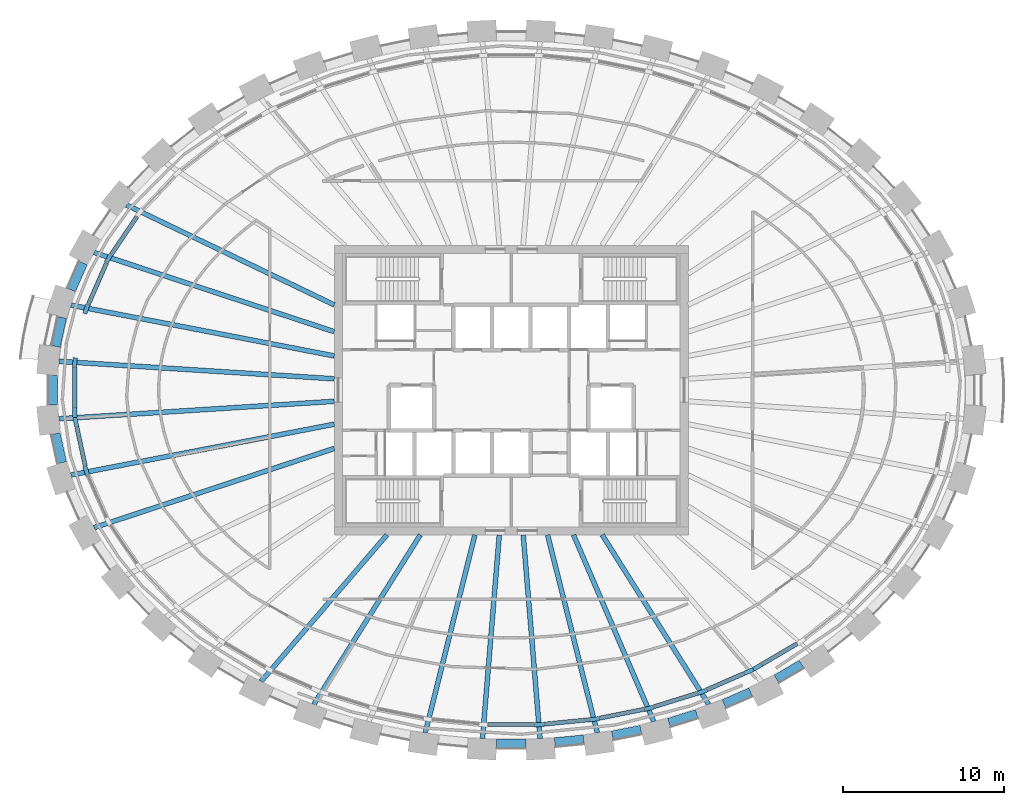
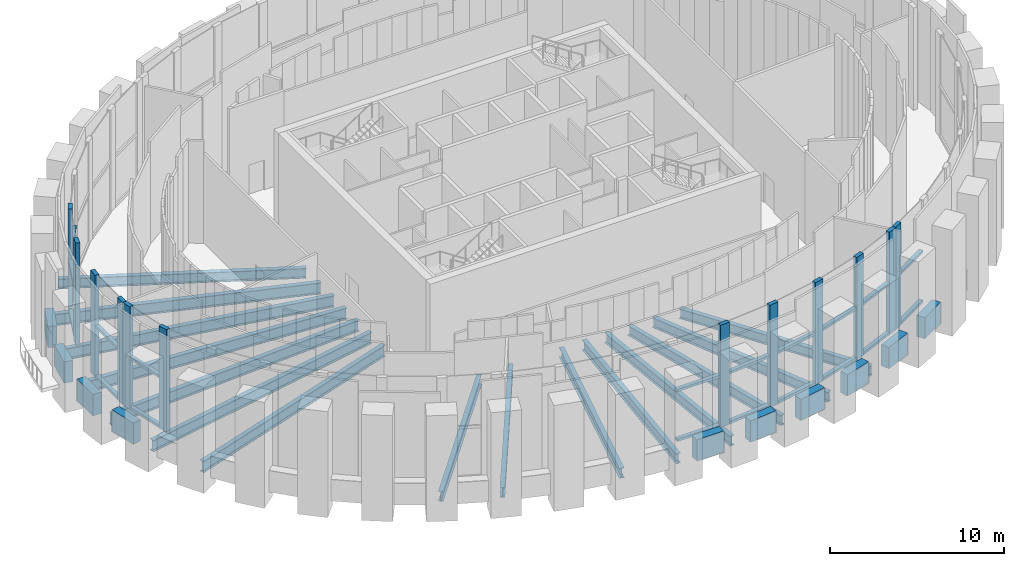
# One storey, part 2 of 16: 32 members, 25 beams, 4 elements without a shape of their own.
"""IFC4 building model written with IfcOpenShell, lengths in metres."""

import ifcopenshell
import ifcopenshell.guid

model = None  # the IFC model being written
_history = None  # IfcOwnerHistory: only IFC2X3 demands one
_inside = {}  # id of a spatial element -> (the spatial element, [elements in it])
_under = {}  # id of a project, library or spatial element -> (it, [spatial elements below it])
_declared = {}  # id of a project -> (the project, [libraries it declares])
_typed = {}  # id of a type object -> (the type object, [elements of that type])
_made_of = {}  # id of a material, layer set ... -> (it, [elements and type objects made of it])


def new_model(schema):
    """Start an empty IFC model of exactly this schema.

    Asked for "IFC4X3", IfcOpenShell would pick the latest addendum, in which some entities
    have other attributes; the version numbers below select the first issue.
    IFC2X3 requires an IfcOwnerHistory on every rooted entity: one is made here for all.
    """
    global model, _history
    if schema == "IFC4X3":
        model = ifcopenshell.file(schema_version=(4, 3, 0, 0))
    else:
        model = ifcopenshell.file(schema=schema)
    _inside.clear()
    _under.clear()
    _declared.clear()
    _typed.clear()
    _made_of.clear()
    _history = None
    if model.schema == "IFC2X3":
        org = make("IfcOrganization", Name="unknown")
        user = make(
            "IfcPersonAndOrganization",
            ThePerson=make("IfcPerson", FamilyName="unknown"),
            TheOrganization=org,
        )
        app = make(
            "IfcApplication",
            ApplicationDeveloper=org,
            Version="unknown",
            ApplicationFullName="unknown",
            ApplicationIdentifier="unknown",
        )
        _history = make(
            "IfcOwnerHistory",
            OwningUser=user,
            OwningApplication=app,
            ChangeAction="ADDED",
            CreationDate=0,
        )
    return model


def make(cls, **values):
    """One entity of the class cls with the attributes given. An attribute that is None is left unset."""
    return model.create_entity(
        cls, **{name: value for name, value in values.items() if value is not None}
    )


def rooted(cls, **values):
    """An entity with a GlobalId (a new one), such as an element, a storey or a relation."""
    return make(cls, GlobalId=ifcopenshell.guid.new(), OwnerHistory=_history, **values)


def si_unit(unit_type, name, prefix=None):
    """IfcSIUnit, for example si_unit("LENGTHUNIT", "METRE", prefix="MILLI")."""
    return make("IfcSIUnit", UnitType=unit_type, Prefix=prefix, Name=name)


def assignment(units):
    """IfcUnitAssignment: the units of a project."""
    return None if units is None else make("IfcUnitAssignment", Units=units)


def point(xyz):
    """IfcCartesianPoint."""
    return None if xyz is None else make("IfcCartesianPoint", Coordinates=xyz)


def direction(xyz):
    """IfcDirection."""
    return None if xyz is None else make("IfcDirection", DirectionRatios=xyz)


def frame(location, z_axis=None, x_axis=None):
    """IfcAxis2Placement3D, a coordinate frame: its origin and axes. An axis left out is left unset."""
    return make(
        "IfcAxis2Placement3D",
        Location=point(location),
        Axis=direction(z_axis),
        RefDirection=direction(x_axis),
    )


def frame_2d(location, x_axis=None):
    """IfcAxis2Placement2D, a coordinate frame in the plane: its origin and x axis."""
    return make(
        "IfcAxis2Placement2D", Location=point(location), RefDirection=direction(x_axis)
    )


def origin():
    """The frame at (0, 0, 0) with its axes left unset."""
    return frame((0.0, 0.0, 0.0))


def origin_2d():
    """The frame at (0, 0) in the plane with its x axis left unset."""
    return frame_2d((0.0, 0.0))


def place(relative_to, where):
    """IfcLocalPlacement: puts the frame where relative to a parent placement (None: the world)."""
    return make(
        "IfcLocalPlacement", PlacementRelTo=relative_to, RelativePlacement=where
    )


def context(
    kind, dimensions, precision=None, world=None, true_north=None, identifier=None
):
    """IfcGeometricRepresentationContext, for example the 3D "Model" context."""
    return make(
        "IfcGeometricRepresentationContext",
        ContextIdentifier=identifier,
        ContextType=kind,
        CoordinateSpaceDimension=dimensions,
        Precision=precision,
        WorldCoordinateSystem=world,
        TrueNorth=true_north,
    )


def subcontext(parent, identifier, kind, view, scale=None):
    """IfcGeometricRepresentationSubContext, for example "Body" below "Model"."""
    return make(
        "IfcGeometricRepresentationSubContext",
        ContextIdentifier=identifier,
        ContextType=kind,
        ParentContext=parent,
        TargetScale=scale,
        TargetView=view,
    )


def project(units=None, contexts=None):
    """IfcProject with its units and contexts."""
    return rooted(
        "IfcProject",
        Name="project",
        RepresentationContexts=contexts,
        UnitsInContext=assignment(units),
    )


def spatial(cls, under=None, at=None, **own):
    """A site, building, storey or space (cls), placed at a placement, below another one or the project."""
    s = rooted(cls, ObjectPlacement=at, **own)
    if under is not None:
        _under.setdefault(under.id(), (under, []))[1].append(s)
    return s


def profile(cls, at=None, kind="AREA", **sizes):
    """A parametric profile (cls). Its sizes go by their IFC names, for example OverallWidth=200.0."""
    return make(cls, ProfileType=kind, Position=at, **sizes)


def rectangle(**sizes):
    """IfcRectangleProfileDef."""
    return profile("IfcRectangleProfileDef", **sizes)


def i_section(**sizes):
    """IfcIShapeProfileDef."""
    return profile("IfcIShapeProfileDef", **sizes)


def extrude(swept, where, along, depth):
    """IfcExtrudedAreaSolid: the profile swept, set in the frame where, extruded along a direction by depth."""
    return make(
        "IfcExtrudedAreaSolid",
        SweptArea=swept,
        Position=where,
        ExtrudedDirection=direction(along),
        Depth=depth,
    )


def shape(context_of_items, identifier, shape_type, items):
    """IfcShapeRepresentation: the items that make up one representation, for example the "Body"."""
    return make(
        "IfcShapeRepresentation",
        ContextOfItems=context_of_items,
        RepresentationIdentifier=identifier,
        RepresentationType=shape_type,
        Items=items,
    )


def source(mapping_origin, context_of_items, identifier, shape_type, items):
    """IfcRepresentationMap: a shape defined once, which mapped items show again and again."""
    return make(
        "IfcRepresentationMap",
        MappingOrigin=mapping_origin,
        MappedRepresentation=shape(context_of_items, identifier, shape_type, items),
    )


def transform(
    local_origin,
    x_axis=None,
    y_axis=None,
    z_axis=None,
    scale=None,
    scale2=None,
    scale3=None,
    uniform=True,
):
    """IfcCartesianTransformationOperator3D, or its non-uniform kind. x_axis, y_axis, z_axis: its Axis1, 2, 3."""
    if uniform:
        return make(
            "IfcCartesianTransformationOperator3D",
            Axis1=direction(x_axis),
            Axis2=direction(y_axis),
            LocalOrigin=point(local_origin),
            Scale=scale,
            Axis3=direction(z_axis),
        )
    return make(
        "IfcCartesianTransformationOperator3DnonUniform",
        Axis1=direction(x_axis),
        Axis2=direction(y_axis),
        LocalOrigin=point(local_origin),
        Scale=scale,
        Axis3=direction(z_axis),
        Scale2=scale2,
        Scale3=scale3,
    )


def mapped(mapping_source, mapping_target):
    """IfcMappedItem: shows the shape of a source again, moved by a transform."""
    return make(
        "IfcMappedItem", MappingSource=mapping_source, MappingTarget=mapping_target
    )


def material(Name=None, Category=None):
    """IfcMaterial."""
    return make("IfcMaterial", Name=Name, Category=Category)


def material_profile(
    of_material, cross_section, Name=None, Category=None, Priority=None
):
    """IfcMaterialProfile: a cross section and its material."""
    return make(
        "IfcMaterialProfile",
        Name=Name,
        Material=of_material,
        Profile=cross_section,
        Priority=Priority,
        Category=Category,
    )


def profile_set(profiles, Name=None, composite=None):
    """IfcMaterialProfileSet."""
    return make(
        "IfcMaterialProfileSet",
        Name=Name,
        MaterialProfiles=profiles,
        CompositeProfile=composite,
    )


def made_of(thing, what):
    """Note that an element or type object is made of a material, layer set ...; save() writes the relation."""
    if what is not None:
        _made_of.setdefault(what.id(), (what, []))[1].append(thing)
    return thing


def type_object(cls, material=None, **own):
    """A type object (cls), such as IfcWallType, which elements share."""
    return made_of(rooted(cls, **own), material)


def element(
    cls,
    number,
    at=None,
    inside=None,
    cuts=None,
    type_object=None,
    material=None,
    context=None,
    identifier="Body",
    shape_type=None,
    held_by="IfcProductDefinitionShape",
    body=None,
    shapes=None,
    **own,
):
    """One element of the class cls, such as IfcWall. Its Tag is "e" and its number.

    at: its placement. inside: the storey or other place that contains it. cuts: it is an
    opening in that element (IfcRelVoidsElement). A single representation is given by context,
    identifier, shape_type and body (its items); several are given by shapes. held_by: the class
    of the entity that holds the representations. save() writes the other relations.
    """
    e = rooted(cls, Tag="e%d" % number, ObjectPlacement=at, **own)
    if body is not None:
        shapes = [shape(context, identifier, shape_type, body)]
    if shapes is not None:
        e.Representation = make(held_by, Representations=shapes)
    if inside is not None:
        _inside.setdefault(inside.id(), (inside, []))[1].append(e)
    if cuts is not None:
        rooted(
            "IfcRelVoidsElement", RelatingBuildingElement=cuts, RelatedOpeningElement=e
        )
    if type_object is not None:
        _typed.setdefault(type_object.id(), (type_object, []))[1].append(e)
    return made_of(e, material)


def aggregate(whole, parts):
    """IfcRelAggregates: a whole, such as a stair, and the parts it consists of."""
    return rooted("IfcRelAggregates", RelatingObject=whole, RelatedObjects=parts)


def save(model, path):
    """Write the relations noted so far, then the file.

    IfcRelAggregates (storeys below a building ...), IfcRelContainedInSpatialStructure (elements
    in a storey), IfcRelDefinesByType, IfcRelAssociatesMaterial and IfcRelDeclares: one each for
    every whole, place, type object, material and project.
    """
    for whole, parts in _under.values():
        aggregate(whole, parts)
    for where, things in _inside.values():
        rooted(
            "IfcRelContainedInSpatialStructure",
            RelatedElements=things,
            RelatingStructure=where,
        )
    for kind, things in _typed.values():
        rooted("IfcRelDefinesByType", RelatedObjects=things, RelatingType=kind)
    for what, things in _made_of.values():
        rooted("IfcRelAssociatesMaterial", RelatedObjects=things, RelatingMaterial=what)
    for by, libraries in _declared.values():
        rooted("IfcRelDeclares", RelatingContext=by, RelatedDefinitions=libraries)
    model.write(path)


model = new_model("IFC4")

# Units and contexts
model_context = context("Model", 3, precision=1e-05, world=origin(), true_north=direction((0.0, 1.0)))
body_context = subcontext(model_context, "Body", "Model", "MODEL_VIEW")
ifc_project = project(units=[si_unit("LENGTHUNIT", "METRE"), si_unit("AREAUNIT", "SQUARE_METRE"), si_unit("VOLUMEUNIT", "CUBIC_METRE"), si_unit("PLANEANGLEUNIT", "RADIAN"), si_unit("MASSUNIT", "GRAM", prefix="KILO")], contexts=[model_context])

# Site, building, storey
site_placement = place(None, origin())
site = spatial("IfcSite", under=ifc_project, at=site_placement, CompositionType="ELEMENT")
building_placement = place(site_placement, origin())
building = spatial("IfcBuilding", under=site, at=building_placement, Name="Embergate Tower", CompositionType="ELEMENT")
storey_placement = place(building_placement, frame((0.0, 0.0, 332.5)))
storey = spatial("IfcBuildingStorey", under=building, at=storey_placement, Name="L78", CompositionType="ELEMENT", Elevation=332.5)

# Beams
ifc_material_1 = material(Name="Concrete C50", Category="concrete")
ifc_material_profile_1 = material_profile(ifc_material_1, rectangle(XDim=0.550048828125, YDim=1.5, at=origin_2d()), Name="RC 550x1500")
ifc_profile_set_1 = profile_set([ifc_material_profile_1], Name="Concrete C50")
beam_type_1 = type_object("IfcBeamType", Name="Spandrel beam RC 550x1500 C50", PredefinedType="BEAM", material=ifc_profile_set_1)
shared_shape_1 = source(origin(), body_context, "Body", "SweptSolid", [
    extrude(rectangle(XDim=0.550048828125, YDim=1.5, at=origin_2d()), origin(), (0.0, 0.0, 1.0), 1.841064453125),
])
for number, where, z_axis, x_axis, name in (
    (1, (-27.912109375, 4.510986328125, 0.0), (-0.21017199477, -0.977664427406, 0.0), (0.977664427406, -0.21017199477, 0.0), "SPN-L78-20"),
    (2, (-28.299072265625, -2.7109375, 0.0), (0.21017199477, -0.977664427406, 0.0), (0.977664427406, 0.21017199477, 0.0), "SPN-L78-22"),
):
    element("IfcBeam", number, at=place(storey_placement, frame(where, z_axis=z_axis, x_axis=x_axis)), inside=storey, type_object=beam_type_1, Name=name, PredefinedType="BEAM", context=body_context, shape_type="MappedRepresentation", body=[
        mapped(shared_shape_1, transform((0.0, 0.0, 0.0))),
    ])
shared_shape_2 = source(origin(), body_context, "Body", "SweptSolid", [
    extrude(rectangle(XDim=0.550048828125, YDim=1.5, at=origin_2d()), origin(), (0.0, 0.0, 1.0), 1.83349609375),
])
beam_1_placement = place(storey_placement, frame((-26.60205078125, 7.89599609375, 0.0), z_axis=(-0.401971002991, -0.91565239734, 0.0), x_axis=(0.91565239734, -0.401971002991, 0.0)))
element("IfcBeam", 3, at=beam_1_placement, inside=storey, type_object=beam_type_1, Name="SPN-L78-19", PredefinedType="BEAM", context=body_context, shape_type="MappedRepresentation", body=[
    mapped(shared_shape_2, transform((0.0, 0.0, 0.0))),
])
shared_shape_3 = source(origin(), body_context, "Body", "SweptSolid", [
    extrude(rectangle(XDim=0.550048828125, YDim=1.5, at=origin_2d()), origin(), (0.0, 0.0, 1.0), 1.814453125),
])
beam_2_placement = place(storey_placement, frame((16.47802734375, -17.948974609375, 0.0), z_axis=(0.861948050646, 0.5069966055, 0.0), x_axis=(-0.5069966055, 0.861948050646, 0.0)))
element("IfcBeam", 4, at=beam_2_placement, inside=storey, type_object=beam_type_1, Name="SPN-L78-37", PredefinedType="BEAM", context=body_context, shape_type="MappedRepresentation", body=[
    mapped(shared_shape_3, transform((0.0, 0.0, 0.0))),
])
shared_shape_4 = source(origin(), body_context, "Body", "SweptSolid", [
    extrude(rectangle(XDim=0.550048828125, YDim=1.5, at=origin_2d()), origin(), (0.0, 0.0, 1.0), 1.8125),
])
beam_3_placement = place(storey_placement, frame((13.214111328125, -19.492919921875, 0.0), z_axis=(0.916321098871, 0.400444307944, 0.0), x_axis=(-0.400444307944, 0.916321098871, 0.0)))
element("IfcBeam", 5, at=beam_3_placement, inside=storey, type_object=beam_type_1, Name="SPN-L78-36", PredefinedType="BEAM", context=body_context, shape_type="MappedRepresentation", body=[
    mapped(shared_shape_4, transform((0.0, 0.0, 0.0))),
])
shared_shape_5 = source(origin(), body_context, "Body", "SweptSolid", [
    extrude(rectangle(XDim=0.550048828125, YDim=1.5, at=origin_2d()), origin(), (0.0, 0.0, 1.0), 1.810791015625),
])
beam_4_placement = place(storey_placement, frame((9.799072265625, -20.659912109375, 0.0), z_axis=(0.954867824345, 0.297031038835, 0.0), x_axis=(-0.297031038835, 0.954867824345, 0.0)))
element("IfcBeam", 6, at=beam_4_placement, inside=storey, type_object=beam_type_1, Name="SPN-L78-35", PredefinedType="BEAM", context=body_context, shape_type="MappedRepresentation", body=[
    mapped(shared_shape_5, transform((0.0, 0.0, 0.0))),
])
shared_shape_6 = source(origin(), body_context, "Body", "SweptSolid", [
    extrude(rectangle(XDim=0.550048828125, YDim=1.5, at=origin_2d()), origin(), (0.0, 0.0, 1.0), 1.809326171875),
])
beam_5_placement = place(storey_placement, frame((6.281005859375, -21.4609375, 0.0), z_axis=(0.980455920219, 0.196738884074, 0.0), x_axis=(-0.196738884074, 0.980455920219, 0.0)))
element("IfcBeam", 7, at=beam_5_placement, inside=storey, type_object=beam_type_1, Name="SPN-L78-34", PredefinedType="BEAM", context=body_context, shape_type="MappedRepresentation", body=[
    mapped(shared_shape_6, transform((0.0, 0.0, 0.0))),
])
shared_shape_7 = source(origin(), body_context, "Body", "SweptSolid", [
    extrude(rectangle(XDim=0.550048828125, YDim=1.5, at=origin_2d()), origin(), (0.0, 0.0, 1.0), 1.806884765625),
])
beam_6_placement = place(storey_placement, frame((2.699951171875, -21.883056640625, 0.0), z_axis=(0.995189855055, 0.097965057015, 0.0), x_axis=(-0.097965057015, 0.995189855055, 0.0)))
element("IfcBeam", 8, at=beam_6_placement, inside=storey, type_object=beam_type_1, Name="SPN-L78-33", PredefinedType="BEAM", context=body_context, shape_type="MappedRepresentation", body=[
    mapped(shared_shape_7, transform((0.0, 0.0, 0.0))),
])
shared_shape_8 = source(origin(), body_context, "Body", "SweptSolid", [
    extrude(rectangle(XDim=0.550048828125, YDim=1.5, at=origin_2d()), origin(), (0.0, 0.0, 1.0), 1.80615234375),
])
beam_7_placement = place(storey_placement, frame((-0.903076171875, -21.971923828125, 0.0), z_axis=(1.0, 0.0, 0.0), x_axis=(0.0, 1.0, 0.0)))
element("IfcBeam", 9, at=beam_7_placement, inside=storey, type_object=beam_type_1, Name="SPN-L78-32", PredefinedType="BEAM", context=body_context, shape_type="MappedRepresentation", body=[
    mapped(shared_shape_8, transform((0.0, 0.0, 0.0))),
])
shared_shape_9 = source(origin(), body_context, "Body", "SweptSolid", [
    extrude(rectangle(XDim=0.550048828125, YDim=1.5, at=origin_2d()), origin(), (0.0, 0.0, 1.0), 1.841796875),
])
beam_8_placement = place(storey_placement, frame((-28.489990234375, 0.9208984375, 0.0), z_axis=(0.0, -1.0, 0.0), x_axis=(1.0, 0.0, 0.0)))
element("IfcBeam", 10, at=beam_8_placement, inside=storey, type_object=beam_type_1, Name="SPN-L78-21", PredefinedType="BEAM", context=body_context, shape_type="MappedRepresentation", body=[
    mapped(shared_shape_9, transform((0.0, 0.0, 0.0))),
])
ifc_material_2 = material(Name="Steel Q355B", Category="steel")
ifc_material_profile_2 = material_profile(ifc_material_2, i_section(OverallWidth=0.300048828125, OverallDepth=0.800048828125, WebThickness=0.013916015625, FlangeThickness=0.02587890625, FilletRadius=0.028076171875, at=origin_2d()), Name="HN 800x300x14x26")
ifc_profile_set_2 = profile_set([ifc_material_profile_2], Name="Steel Q355 grade B")
beam_type_2 = type_object("IfcBeamType", Name="Radial girder HN 800x300x14x26", PredefinedType="BEAM", material=ifc_profile_set_2)
shared_shape_10 = source(origin(), body_context, "Body", "SweptSolid", [
    extrude(i_section(OverallWidth=0.300048828125, OverallDepth=0.800048828125, WebThickness=0.013916015625, FlangeThickness=0.02587890625, FilletRadius=0.028076171875, at=origin_2d()), origin(), (0.0, 0.0, 1.0), 17.1494140625),
])
for number, where, z_axis, x_axis, name in (
    (11, (-28.114990234375, 1.785888671875, -0.64990234375), (0.997989537988, -0.063378877125, 0.0), (0.063378877125, 0.997989537988, 0.0), "GIR-L78-21"),
    (12, (-28.114990234375, -1.785888671875, -0.64990234375), (0.997989537988, 0.063378877125, 0.0), (-0.063378877125, 0.997989537988, 0.0), "GIR-L78-22"),
):
    element("IfcBeam", number, at=place(storey_placement, frame(where, z_axis=z_axis, x_axis=x_axis)), inside=storey, type_object=beam_type_2, Name=name, PredefinedType="BEAM", context=body_context, shape_type="MappedRepresentation", body=[
        mapped(shared_shape_10, transform((0.0, 0.0, 0.0))),
    ])
shared_shape_11 = source(origin(), body_context, "Body", "SweptSolid", [
    extrude(i_section(OverallWidth=0.300048828125, OverallDepth=0.800048828125, WebThickness=0.013916015625, FlangeThickness=0.02587890625, FilletRadius=0.028076171875, at=origin_2d()), origin(), (0.0, 0.0, 1.0), 16.664794921875),
])
for number, where, z_axis, x_axis, name in (
    (13, (-27.363037109375, 5.279052734375, -0.64990234375), (0.981892264932, -0.18944017543, 0.0), (0.18944017543, 0.981892264932, 0.0), "GIR-L78-20"),
    (14, (-27.363037109375, -5.279052734375, -0.64990234375), (0.981892264932, 0.18944017543, 0.0), (-0.18944017543, 0.981892264932, 0.0), "GIR-L78-23"),
):
    element("IfcBeam", number, at=place(storey_placement, frame(where, z_axis=z_axis, x_axis=x_axis)), inside=storey, type_object=beam_type_2, Name=name, PredefinedType="BEAM", context=body_context, shape_type="MappedRepresentation", body=[
        mapped(shared_shape_11, transform((0.0, 0.0, 0.0))),
    ])
shared_shape_12 = source(origin(), body_context, "Body", "SweptSolid", [
    extrude(i_section(OverallWidth=0.300048828125, OverallDepth=0.800048828125, WebThickness=0.013916015625, FlangeThickness=0.02587890625, FilletRadius=0.028076171875, at=origin_2d()), origin(), (0.0, 0.0, 1.0), 15.718017578125),
])
for number, where, z_axis, x_axis, name in (
    (15, (-25.927001953125, 8.551025390625, -0.64990234375), (0.949681931601, -0.31321594594, 0.0), (0.31321594594, 0.949681931601, 0.0), "GIR-L78-19"),
    (16, (-25.927001953125, -8.551025390625, -0.64990234375), (0.949681931601, 0.31321594594, 0.0), (-0.31321594594, 0.949681931601, 0.0), "GIR-L78-24"),
):
    element("IfcBeam", number, at=place(storey_placement, frame(where, z_axis=z_axis, x_axis=x_axis)), inside=storey, type_object=beam_type_2, Name=name, PredefinedType="BEAM", context=body_context, shape_type="MappedRepresentation", body=[
        mapped(shared_shape_12, transform((0.0, 0.0, 0.0))),
    ])
ifc_material_profile_3 = material_profile(ifc_material_2, i_section(OverallWidth=0.300048828125, OverallDepth=0.699951171875, WebThickness=0.012939453125, FlangeThickness=0.02392578125, FilletRadius=0.01806640625, at=origin_2d()), Name="HN 700x300x13x24")
ifc_profile_set_3 = profile_set([ifc_material_profile_3], Name="Steel Q355 grade B")
beam_type_3 = type_object("IfcBeamType", Name="Radial girder HN 700x300x13x24", PredefinedType="BEAM", material=ifc_profile_set_3)
shared_shape_13 = source(origin(), body_context, "Body", "SweptSolid", [
    extrude(i_section(OverallWidth=0.300048828125, OverallDepth=0.699951171875, WebThickness=0.012939453125, FlangeThickness=0.02392578125, FilletRadius=0.01806640625, at=origin_2d()), origin(), (0.0, 0.0, 1.0), 14.3349609375),
])
beam_9_placement = place(storey_placement, frame((-23.91796875, 11.506103515625, -0.60009765625), z_axis=(0.901155709388, -0.433495544887, 0.0), x_axis=(0.433495544887, 0.901155709388, 0.0)))
element("IfcBeam", 17, at=beam_9_placement, inside=storey, type_object=beam_type_3, Name="GIR-L78-18", PredefinedType="BEAM", context=body_context, shape_type="MappedRepresentation", body=[
    mapped(shared_shape_13, transform((0.0, 0.0, 0.0))),
])
shared_shape_14 = source(origin(), body_context, "Body", "SweptSolid", [
    extrude(i_section(OverallWidth=0.300048828125, OverallDepth=0.699951171875, WebThickness=0.012939453125, FlangeThickness=0.02392578125, FilletRadius=0.01806640625, at=origin_2d()), origin(), (0.0, 0.0, 1.0), 12.003662109375),
])
beam_10_placement = place(storey_placement, frame((-15.549072265625, -18.10693359375, -0.60009765625), z_axis=(0.651469469768, 0.758674851277, 0.0), x_axis=(-0.758674851277, 0.651469469768, 0.0)))
element("IfcBeam", 18, at=beam_10_placement, inside=storey, type_object=beam_type_3, Name="GIR-L78-28", PredefinedType="BEAM", context=body_context, shape_type="MappedRepresentation", body=[
    mapped(shared_shape_14, transform((0.0, 0.0, 0.0))),
])
shared_shape_15 = source(origin(), body_context, "Body", "SweptSolid", [
    extrude(i_section(OverallWidth=0.300048828125, OverallDepth=0.699951171875, WebThickness=0.012939453125, FlangeThickness=0.02392578125, FilletRadius=0.01806640625, at=origin_2d()), origin(), (0.0, 0.0, 1.0), 12.446533203125),
])
for number, where, z_axis, x_axis, name in (
    (19, (-12.27197265625, -19.5400390625, -0.60009765625), (0.531866608286, 0.846828147259, 0.0), (-0.846828147259, 0.531866608286, 0.0), "GIR-L78-29"),
    (20, (12.27197265625, -19.5400390625, -0.60009765625), (-0.531866608286, 0.846828147259, 0.0), (-0.846828147259, -0.531866608286, 0.0), "GIR-L78-36"),
):
    element("IfcBeam", number, at=place(storey_placement, frame(where, z_axis=z_axis, x_axis=x_axis)), inside=storey, type_object=beam_type_3, Name=name, PredefinedType="BEAM", context=body_context, shape_type="MappedRepresentation", body=[
        mapped(shared_shape_15, transform((0.0, 0.0, 0.0))),
    ])
shared_shape_16 = source(origin(), body_context, "Body", "SweptSolid", [
    extrude(i_section(OverallWidth=0.300048828125, OverallDepth=0.699951171875, WebThickness=0.012939453125, FlangeThickness=0.02392578125, FilletRadius=0.01806640625, at=origin_2d()), origin(), (0.0, 0.0, 1.0), 12.629638671875),
])
beam_11_placement = place(storey_placement, frame((8.85595703125, -20.60302734375, -0.60009765625), z_axis=(-0.394943241903, 0.91870552174, 0.0), x_axis=(-0.91870552174, -0.394943241903, 0.0)))
element("IfcBeam", 21, at=beam_11_placement, inside=storey, type_object=beam_type_3, Name="GIR-L78-35", PredefinedType="BEAM", context=body_context, shape_type="MappedRepresentation", body=[
    mapped(shared_shape_16, transform((0.0, 0.0, 0.0))),
])
shared_shape_17 = source(origin(), body_context, "Body", "SweptSolid", [
    extrude(i_section(OverallWidth=0.300048828125, OverallDepth=0.699951171875, WebThickness=0.012939453125, FlangeThickness=0.02392578125, FilletRadius=0.01806640625, at=origin_2d()), origin(), (0.0, 0.0, 1.0), 12.687744140625),
])
for number, where, z_axis, x_axis, name in (
    (22, (-5.347900390625, -21.305908203125, -0.60009765625), (0.243454622931, 0.969912288083, 0.0), (-0.969912288083, 0.243454622931, 0.0), "GIR-L78-31"),
    (23, (5.347900390625, -21.305908203125, -0.60009765625), (-0.243454622931, 0.969912288083, 0.0), (-0.969912288083, -0.243454622931, 0.0), "GIR-L78-34"),
):
    element("IfcBeam", number, at=place(storey_placement, frame(where, z_axis=z_axis, x_axis=x_axis)), inside=storey, type_object=beam_type_3, Name=name, PredefinedType="BEAM", context=body_context, shape_type="MappedRepresentation", body=[
        mapped(shared_shape_17, transform((0.0, 0.0, 0.0))),
    ])
shared_shape_18 = source(origin(), body_context, "Body", "SweptSolid", [
    extrude(i_section(OverallWidth=0.300048828125, OverallDepth=0.699951171875, WebThickness=0.012939453125, FlangeThickness=0.02392578125, FilletRadius=0.01806640625, at=origin_2d()), origin(), (0.0, 0.0, 1.0), 12.699951171875),
])
for number, where, z_axis, x_axis, name in (
    (24, (-1.7880859375, -21.656982421875, -0.60009765625), (0.08229613459, 0.996607920012, 0.0), (-0.996607920012, 0.08229613459, 0.0), "GIR-L78-32"),
    (25, (1.7880859375, -21.656982421875, -0.60009765625), (-0.08229613459, 0.996607920012, 0.0), (-0.996607920012, -0.08229613459, 0.0), "GIR-L78-33"),
):
    element("IfcBeam", number, at=place(storey_placement, frame(where, z_axis=z_axis, x_axis=x_axis)), inside=storey, type_object=beam_type_3, Name=name, PredefinedType="BEAM", context=body_context, shape_type="MappedRepresentation", body=[
        mapped(shared_shape_18, transform((0.0, 0.0, 0.0))),
    ])

# Curtain wall, members
ifc_material_3 = material(Name="Aluminium and glass", Category="aluminium")
curtain_wall_type = type_object("IfcCurtainWallType", Name="Observation glazing", PredefinedType="NOTDEFINED", material=ifc_material_3)
curtain_wall_1_placement = place(storey_placement, origin())
curtain_wall_1 = element("IfcCurtainWall", 26, at=curtain_wall_1_placement, inside=storey, type_object=curtain_wall_type, Name="Observation glazing run 3", ObjectType="OBSERVATION GLAZING", PredefinedType="USERDEFINED")
ifc_material_4 = material(Name="Aluminium, thermally broken", Category="aluminium")
ifc_material_profile_4 = material_profile(ifc_material_4, rectangle(XDim=0.260009765625, YDim=0.60009765625, at=origin_2d()), Name="AL 600x260")
ifc_profile_set_4 = profile_set([ifc_material_profile_4], Name="Aluminium, thermally broken")
member_type_1 = type_object("IfcMemberType", Name="Observation mullion", PredefinedType="MULLION", material=ifc_profile_set_4)
shared_shape_19 = source(origin(), body_context, "Body", "SweptSolid", [
    extrude(rectangle(XDim=0.260009765625, YDim=0.60009765625, at=origin_2d()), origin(), (0.0, 0.0, 1.0), 7.199951171875),
])
member_1_placement = place(storey_placement, frame((-25.03369140625, 8.170166015625, 0.0), z_axis=(0.0, 0.0, 1.0), x_axis=(0.874977391222, -0.484163778954, 0.0)))
member_1 = element("IfcMember", 27, at=member_1_placement, type_object=member_type_1, Name="CW mullion 5", PredefinedType="MULLION", context=body_context, shape_type="MappedRepresentation", body=[
    mapped(shared_shape_19, transform((0.0, 0.0, 0.0))),
])
member_2_placement = place(storey_placement, frame((-26.406982421875, 5.039306640625, 0.0), z_axis=(0.0, 0.0, 1.0), x_axis=(0.951484910112, -0.307695410803, 0.0)))
member_2 = element("IfcMember", 28, at=member_2_placement, type_object=member_type_1, Name="CW mullion 6", PredefinedType="MULLION", context=body_context, shape_type="MappedRepresentation", body=[
    mapped(shared_shape_19, transform((0.0, 0.0, 0.0))),
])
member_3_placement = place(storey_placement, frame((-27.124755859375, 1.704345703125, 0.0), z_axis=(0.0, 0.0, 1.0), x_axis=(0.99438310762, -0.105840612621, 0.0)))
member_3 = element("IfcMember", 29, at=member_3_placement, type_object=member_type_1, Name="CW mullion 7", PredefinedType="MULLION", context=body_context, shape_type="MappedRepresentation", body=[
    mapped(shared_shape_19, transform((0.0, 0.0, 0.0))),
])
member_4_placement = place(storey_placement, frame((-27.124755859375, -1.404296875, 0.0), z_axis=(0.0, 0.0, 1.0), x_axis=(1.0, 0.0, 0.0)))
member_4 = element("IfcMember", 30, at=member_4_placement, type_object=member_type_1, Name="CW mullion 8", PredefinedType="MULLION", context=body_context, shape_type="MappedRepresentation", body=[
    mapped(shared_shape_19, transform((0.0, 0.0, 0.0))),
])

curtain_wall_2_placement = place(storey_placement, origin())
curtain_wall_2 = element("IfcCurtainWall", 31, at=curtain_wall_2_placement, inside=storey, type_object=curtain_wall_type, Name="Observation glazing run 4", ObjectType="OBSERVATION GLAZING", PredefinedType="USERDEFINED")
member_5_placement = place(storey_placement, frame((-27.0615234375, -1.99755859375, 0.0), z_axis=(0.0, 0.0, 1.0), x_axis=(0.97761389463, 0.210406922475, 0.0)))
member_5 = element("IfcMember", 32, at=member_5_placement, type_object=member_type_1, Name="CW mullion 1", PredefinedType="MULLION", context=body_context, shape_type="MappedRepresentation", body=[
    mapped(shared_shape_19, transform((0.0, 0.0, 0.0))),
])
member_6_placement = place(storey_placement, frame((-26.406982421875, -5.039306640625, 0.0), z_axis=(0.0, 0.0, 1.0), x_axis=(0.951484910112, 0.307695410803, 0.0)))
member_6 = element("IfcMember", 33, at=member_6_placement, type_object=member_type_1, Name="CW mullion 2", PredefinedType="MULLION", context=body_context, shape_type="MappedRepresentation", body=[
    mapped(shared_shape_19, transform((0.0, 0.0, 0.0))),
])

curtain_wall_3_placement = place(storey_placement, origin())
curtain_wall_3 = element("IfcCurtainWall", 34, at=curtain_wall_3_placement, inside=storey, type_object=curtain_wall_type, Name="Observation glazing run 5", ObjectType="OBSERVATION GLAZING", PredefinedType="USERDEFINED")
member_7_placement = place(storey_placement, frame((1.73193359375, -20.793701171875, 0.0), z_axis=(0.0, 0.0, 1.0), x_axis=(-0.048970053385, 0.998800247232, 0.0)))
member_7 = element("IfcMember", 35, at=member_7_placement, type_object=member_type_1, Name="CW mullion 5", PredefinedType="MULLION", context=body_context, shape_type="MappedRepresentation", body=[
    mapped(shared_shape_19, transform((0.0, 0.0, 0.0))),
])
member_8_placement = place(storey_placement, frame((5.1787109375, -20.454833984375, 0.0), z_axis=(0.0, 0.0, 1.0), x_axis=(-0.147407204031, 0.98907589001, 0.0)))
member_8 = element("IfcMember", 36, at=member_8_placement, type_object=member_type_1, Name="CW mullion 6", PredefinedType="MULLION", context=body_context, shape_type="MappedRepresentation", body=[
    mapped(shared_shape_19, transform((0.0, 0.0, 0.0))),
])
member_9_placement = place(storey_placement, frame((8.572998046875, -19.774169921875, 0.0), z_axis=(0.0, 0.0, 1.0), x_axis=(-0.247303425799, 0.968938086561, 0.0)))
member_9 = element("IfcMember", 37, at=member_9_placement, type_object=member_type_1, Name="CW mullion 7", PredefinedType="MULLION", context=body_context, shape_type="MappedRepresentation", body=[
    mapped(shared_shape_19, transform((0.0, 0.0, 0.0))),
])
member_10_placement = place(storey_placement, frame((11.876220703125, -18.74560546875, 0.0), z_axis=(0.0, 0.0, 1.0), x_axis=(-0.349489600731, 0.936940243015, 0.0)))
member_10 = element("IfcMember", 38, at=member_10_placement, type_object=member_type_1, Name="CW mullion 8", PredefinedType="MULLION", context=body_context, shape_type="MappedRepresentation", body=[
    mapped(shared_shape_19, transform((0.0, 0.0, 0.0))),
])
member_11_placement = place(storey_placement, frame((14.76806640625, -17.48095703125, 0.0), z_axis=(0.0, 0.0, 1.0), x_axis=(-0.400633698365, 0.916238309467, 0.0)))
member_11 = element("IfcMember", 39, at=member_11_placement, type_object=member_type_1, Name="CW mullion 9", PredefinedType="MULLION", context=body_context, shape_type="MappedRepresentation", body=[
    mapped(shared_shape_19, transform((0.0, 0.0, 0.0))),
])

# Curtain wall, member
curtain_wall_4_placement = place(storey_placement, origin())
curtain_wall_4 = element("IfcCurtainWall", 40, at=curtain_wall_4_placement, inside=storey, type_object=curtain_wall_type, Name="Observation glazing run 6", ObjectType="OBSERVATION GLAZING", PredefinedType="USERDEFINED")
member_12_placement = place(storey_placement, frame((15.301513671875, -17.208740234375, 0.0), z_axis=(0.0, 0.0, 1.0), x_axis=(-0.506811834471, 0.862056706047, 0.0)))
member_12 = element("IfcMember", 41, at=member_12_placement, type_object=member_type_1, Name="CW mullion 1", PredefinedType="MULLION", context=body_context, shape_type="MappedRepresentation", body=[
    mapped(shared_shape_19, transform((0.0, 0.0, 0.0))),
])

# Member
ifc_material_profile_5 = material_profile(ifc_material_4, rectangle(XDim=0.260009765625, YDim=0.179931640625, at=origin_2d()), Name="AL 180x260")
ifc_profile_set_5 = profile_set([ifc_material_profile_5], Name="Aluminium, thermally broken")
member_type_2 = type_object("IfcMemberType", Name="Observation transom", PredefinedType="USERDEFINED", material=ifc_profile_set_5)
shared_shape_20 = source(origin(), body_context, "Body", "SweptSolid", [
    extrude(rectangle(XDim=0.260009765625, YDim=0.179931640625, at=origin_2d()), origin(), (0.0, 0.0, 1.0), 2.51123046875),
])
member_13_placement = place(storey_placement, frame((-26.998291015625, -2.291015625, 0.090087890625), z_axis=(0.210378833475, -0.977619939662, 0.0), x_axis=(0.977619939662, 0.210378833475, 0.0)))
member_13 = element("IfcMember", 42, at=member_13_placement, type_object=member_type_2, Name="CW transom 1.1", ObjectType="TRANSOM", PredefinedType="USERDEFINED", context=body_context, shape_type="MappedRepresentation", body=[
    mapped(shared_shape_20, transform((0.0, 0.0, 0.0))),
])

member_14_placement = place(storey_placement, frame((-26.998291015625, -2.291015625, 3.60009765625), z_axis=(0.210378833475, -0.977619939662, 0.0), x_axis=(0.977619939662, 0.210378833475, 0.0)))
member_14 = element("IfcMember", 43, at=member_14_placement, type_object=member_type_2, Name="CW transom 1.2", ObjectType="TRANSOM", PredefinedType="USERDEFINED", context=body_context, shape_type="MappedRepresentation", body=[
    mapped(shared_shape_20, transform((0.0, 0.0, 0.0))),
])

aggregate(curtain_wall_2, [member_5, member_6, member_13, member_14])

shared_shape_21 = source(origin(), body_context, "Body", "SweptSolid", [
    extrude(rectangle(XDim=0.260009765625, YDim=0.179931640625, at=origin_2d()), origin(), (0.0, 0.0, 1.0), 2.818603515625),
])
member_15_placement = place(storey_placement, frame((-25.154296875, 7.8955078125, 0.090087890625), z_axis=(-0.401641104091, -0.915797151942, 0.0), x_axis=(0.915797151942, -0.401641104091, 0.0)))
member_15 = element("IfcMember", 44, at=member_15_placement, type_object=member_type_2, Name="CW transom 5.1", ObjectType="TRANSOM", PredefinedType="USERDEFINED", context=body_context, shape_type="MappedRepresentation", body=[
    mapped(shared_shape_21, transform((0.0, 0.0, 0.0))),
])

member_16_placement = place(storey_placement, frame((-25.154296875, 7.8955078125, 3.60009765625), z_axis=(-0.401641104091, -0.915797151942, 0.0), x_axis=(0.915797151942, -0.401641104091, 0.0)))
member_16 = element("IfcMember", 45, at=member_16_placement, type_object=member_type_2, Name="CW transom 5.2", ObjectType="TRANSOM", PredefinedType="USERDEFINED", context=body_context, shape_type="MappedRepresentation", body=[
    mapped(shared_shape_21, transform((0.0, 0.0, 0.0))),
])

shared_shape_22 = source(origin(), body_context, "Body", "SweptSolid", [
    extrude(rectangle(XDim=0.260009765625, YDim=0.179931640625, at=origin_2d()), origin(), (0.0, 0.0, 1.0), 2.827880859375),
])
member_17_placement = place(storey_placement, frame((-23.274658203125, 10.756591796875, 0.090087890625), z_axis=(-0.562366693177, -0.826887962426, 0.0), x_axis=(0.826887962426, -0.562366693177, 0.0)))
member_17 = element("IfcMember", 46, at=member_17_placement, type_object=member_type_2, Name="CW transom 4.1", ObjectType="TRANSOM", PredefinedType="USERDEFINED", context=body_context, shape_type="MappedRepresentation", body=[
    mapped(shared_shape_22, transform((0.0, 0.0, 0.0))),
])

member_18_placement = place(storey_placement, frame((-23.274658203125, 10.756591796875, 3.60009765625), z_axis=(-0.562366693177, -0.826887962426, 0.0), x_axis=(0.826887962426, -0.562366693177, 0.0)))
member_18 = element("IfcMember", 47, at=member_18_placement, type_object=member_type_2, Name="CW transom 4.2", ObjectType="TRANSOM", PredefinedType="USERDEFINED", context=body_context, shape_type="MappedRepresentation", body=[
    mapped(shared_shape_22, transform((0.0, 0.0, 0.0))),
])

shared_shape_23 = source(origin(), body_context, "Body", "SweptSolid", [
    extrude(rectangle(XDim=0.260009765625, YDim=0.179931640625, at=origin_2d()), origin(), (0.0, 0.0, 1.0), 2.55615234375),
])
member_19_placement = place(storey_placement, frame((12.151123046875, -18.625244140625, 0.090087890625), z_axis=(0.916260333876, 0.40058332537, 0.0), x_axis=(-0.40058332537, 0.916260333876, 0.0)))
member_19 = element("IfcMember", 48, at=member_19_placement, type_object=member_type_2, Name="CW transom 8.1", ObjectType="TRANSOM", PredefinedType="USERDEFINED", context=body_context, shape_type="MappedRepresentation", body=[
    mapped(shared_shape_23, transform((0.0, 0.0, 0.0))),
])

member_20_placement = place(storey_placement, frame((12.151123046875, -18.625244140625, 3.60009765625), z_axis=(0.916260333876, 0.40058332537, 0.0), x_axis=(-0.40058332537, 0.916260333876, 0.0)))
member_20 = element("IfcMember", 49, at=member_20_placement, type_object=member_type_2, Name="CW transom 8.2", ObjectType="TRANSOM", PredefinedType="USERDEFINED", context=body_context, shape_type="MappedRepresentation", body=[
    mapped(shared_shape_23, transform((0.0, 0.0, 0.0))),
])

shared_shape_24 = source(origin(), body_context, "Body", "SweptSolid", [
    extrude(rectangle(XDim=0.260009765625, YDim=0.179931640625, at=origin_2d()), origin(), (0.0, 0.0, 1.0), 2.86181640625),
])
member_21_placement = place(storey_placement, frame((5.472900390625, -20.39599609375, 0.090087890625), z_axis=(0.980459086203, 0.196723105611, 0.0), x_axis=(-0.196723105611, 0.980459086203, 0.0)))
member_21 = element("IfcMember", 50, at=member_21_placement, type_object=member_type_2, Name="CW transom 6.1", ObjectType="TRANSOM", PredefinedType="USERDEFINED", context=body_context, shape_type="MappedRepresentation", body=[
    mapped(shared_shape_24, transform((0.0, 0.0, 0.0))),
])

member_22_placement = place(storey_placement, frame((5.472900390625, -20.39599609375, 3.60009765625), z_axis=(0.980459086203, 0.196723105611, 0.0), x_axis=(-0.196723105611, 0.980459086203, 0.0)))
member_22 = element("IfcMember", 51, at=member_22_placement, type_object=member_type_2, Name="CW transom 6.2", ObjectType="TRANSOM", PredefinedType="USERDEFINED", context=body_context, shape_type="MappedRepresentation", body=[
    mapped(shared_shape_24, transform((0.0, 0.0, 0.0))),
])

shared_shape_25 = source(origin(), body_context, "Body", "SweptSolid", [
    extrude(rectangle(XDim=0.260009765625, YDim=0.179931640625, at=origin_2d()), origin(), (0.0, 0.0, 1.0), 2.86328125),
])
member_23_placement = place(storey_placement, frame((2.030517578125, -20.764404296875, 0.090087890625), z_axis=(0.995206257784, 0.097798284585, 0.0), x_axis=(-0.097798284585, 0.995206257784, 0.0)))
member_23 = element("IfcMember", 52, at=member_23_placement, type_object=member_type_2, Name="CW transom 5.1", ObjectType="TRANSOM", PredefinedType="USERDEFINED", context=body_context, shape_type="MappedRepresentation", body=[
    mapped(shared_shape_25, transform((0.0, 0.0, 0.0))),
])

member_24_placement = place(storey_placement, frame((2.030517578125, -20.764404296875, 3.60009765625), z_axis=(0.995206257784, 0.097798284585, 0.0), x_axis=(-0.097798284585, 0.995206257784, 0.0)))
member_24 = element("IfcMember", 53, at=member_24_placement, type_object=member_type_2, Name="CW transom 5.2", ObjectType="TRANSOM", PredefinedType="USERDEFINED", context=body_context, shape_type="MappedRepresentation", body=[
    mapped(shared_shape_25, transform((0.0, 0.0, 0.0))),
])

shared_shape_26 = source(origin(), body_context, "Body", "SweptSolid", [
    extrude(rectangle(XDim=0.260009765625, YDim=0.179931640625, at=origin_2d()), origin(), (0.0, 0.0, 1.0), 2.86376953125),
])
member_25_placement = place(storey_placement, frame((-1.431884765625, -20.793701171875, 0.090087890625), z_axis=(1.0, 0.0, 0.0), x_axis=(0.0, 1.0, 0.0)))
member_25 = element("IfcMember", 54, at=member_25_placement, type_object=member_type_2, Name="CW transom 4.1", ObjectType="TRANSOM", PredefinedType="USERDEFINED", context=body_context, shape_type="MappedRepresentation", body=[
    mapped(shared_shape_26, transform((0.0, 0.0, 0.0))),
])

member_26_placement = place(storey_placement, frame((-1.431884765625, -20.793701171875, 3.60009765625), z_axis=(1.0, 0.0, 0.0), x_axis=(0.0, 1.0, 0.0)))
member_26 = element("IfcMember", 55, at=member_26_placement, type_object=member_type_2, Name="CW transom 4.2", ObjectType="TRANSOM", PredefinedType="USERDEFINED", context=body_context, shape_type="MappedRepresentation", body=[
    mapped(shared_shape_26, transform((0.0, 0.0, 0.0))),
])

shared_shape_27 = source(origin(), body_context, "Body", "SweptSolid", [
    extrude(rectangle(XDim=0.260009765625, YDim=0.179931640625, at=origin_2d()), origin(), (0.0, 0.0, 1.0), 2.859619140625),
])
member_27_placement = place(storey_placement, frame((8.859619140625, -19.684814453125, 0.090087890625), z_axis=(0.95478786354, 0.297287967526, 0.0), x_axis=(-0.297287967526, 0.95478786354, 0.0)))
member_27 = element("IfcMember", 56, at=member_27_placement, type_object=member_type_2, Name="CW transom 7.1", ObjectType="TRANSOM", PredefinedType="USERDEFINED", context=body_context, shape_type="MappedRepresentation", body=[
    mapped(shared_shape_27, transform((0.0, 0.0, 0.0))),
])

member_28_placement = place(storey_placement, frame((8.859619140625, -19.684814453125, 3.60009765625), z_axis=(0.95478786354, 0.297287967526, 0.0), x_axis=(-0.297287967526, 0.95478786354, 0.0)))
member_28 = element("IfcMember", 57, at=member_28_placement, type_object=member_type_2, Name="CW transom 7.2", ObjectType="TRANSOM", PredefinedType="USERDEFINED", context=body_context, shape_type="MappedRepresentation", body=[
    mapped(shared_shape_27, transform((0.0, 0.0, 0.0))),
])

aggregate(curtain_wall_3, [member_7, member_8, member_9, member_10, member_11, member_25, member_26, member_23, member_24, member_21, member_22, member_27, member_28, member_19, member_20])

shared_shape_28 = source(origin(), body_context, "Body", "SweptSolid", [
    extrude(rectangle(XDim=0.260009765625, YDim=0.179931640625, at=origin_2d()), origin(), (0.0, 0.0, 1.0), 2.551025390625),
])
member_29_placement = place(storey_placement, frame((15.560302734375, -17.056640625, 0.090087890625), z_axis=(0.862052277359, 0.506819367329, 0.0), x_axis=(-0.506819367329, 0.862052277359, 0.0)))
member_29 = element("IfcMember", 58, at=member_29_placement, type_object=member_type_2, Name="CW transom 1.1", ObjectType="TRANSOM", PredefinedType="USERDEFINED", context=body_context, shape_type="MappedRepresentation", body=[
    mapped(shared_shape_28, transform((0.0, 0.0, 0.0))),
])

member_30_placement = place(storey_placement, frame((15.560302734375, -17.056640625, 3.60009765625), z_axis=(0.862052277359, 0.506819367329, 0.0), x_axis=(-0.506819367329, 0.862052277359, 0.0)))
member_30 = element("IfcMember", 59, at=member_30_placement, type_object=member_type_2, Name="CW transom 1.2", ObjectType="TRANSOM", PredefinedType="USERDEFINED", context=body_context, shape_type="MappedRepresentation", body=[
    mapped(shared_shape_28, transform((0.0, 0.0, 0.0))),
])

aggregate(curtain_wall_4, [member_12, member_29, member_30])

shared_shape_29 = source(origin(), body_context, "Body", "SweptSolid", [
    extrude(rectangle(XDim=0.260009765625, YDim=0.179931640625, at=origin_2d()), origin(), (0.0, 0.0, 1.0), 2.508544921875),
])
member_31_placement = place(storey_placement, frame((-27.124755859375, 1.404296875, 0.090087890625), z_axis=(0.0, -1.0, 0.0), x_axis=(1.0, 0.0, 0.0)))
member_31 = element("IfcMember", 60, at=member_31_placement, type_object=member_type_2, Name="CW transom 7.1", ObjectType="TRANSOM", PredefinedType="USERDEFINED", context=body_context, shape_type="MappedRepresentation", body=[
    mapped(shared_shape_29, transform((0.0, 0.0, 0.0))),
])

member_32_placement = place(storey_placement, frame((-27.124755859375, 1.404296875, 3.60009765625), z_axis=(0.0, -1.0, 0.0), x_axis=(1.0, 0.0, 0.0)))
member_32 = element("IfcMember", 61, at=member_32_placement, type_object=member_type_2, Name="CW transom 7.2", ObjectType="TRANSOM", PredefinedType="USERDEFINED", context=body_context, shape_type="MappedRepresentation", body=[
    mapped(shared_shape_29, transform((0.0, 0.0, 0.0))),
])

aggregate(curtain_wall_1, [member_1, member_2, member_3, member_4, member_17, member_18, member_15, member_16, member_31, member_32])

save(model, "model.ifc")
